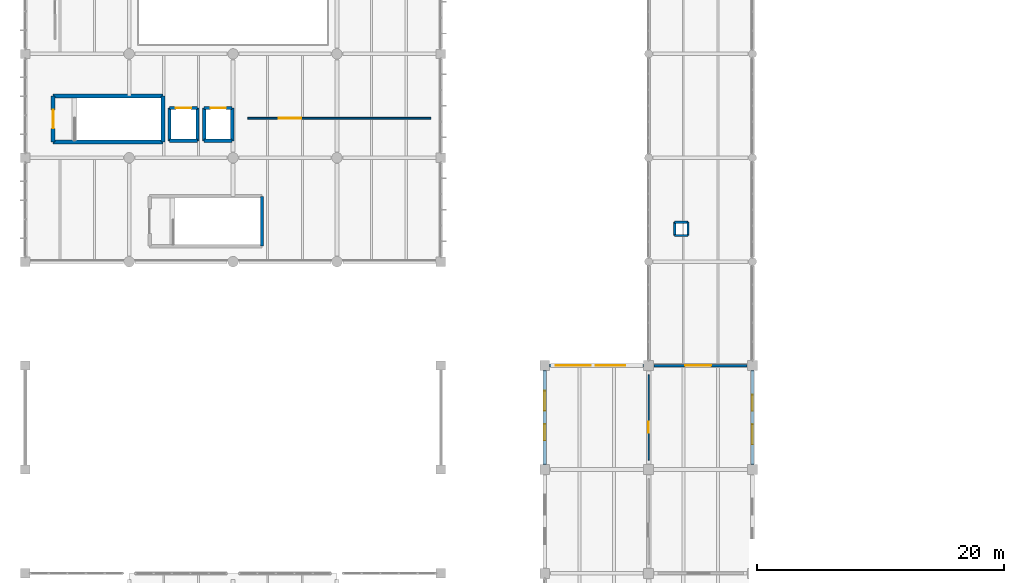
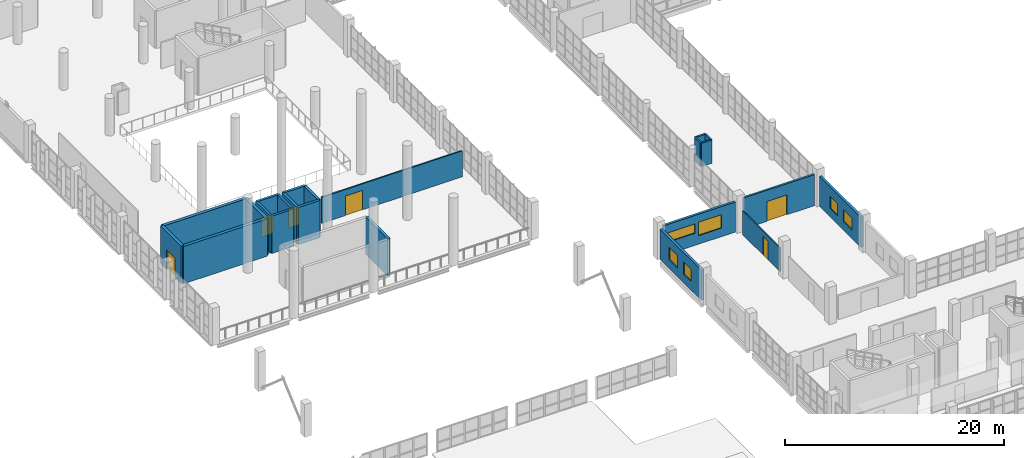
# One storey, part 149 of 177: 23 walls, 6 doors, 6 windows, 12 openings.
"""IFC4 building model written with IfcOpenShell, lengths in metres."""

from ifc_helpers import new_model, si_unit, direction, frame, frame_2d, origin, place, context, subcontext, project, spatial, rectangle, extrude, material, layer, layer_set, type_object, element, fill, save


model = new_model("IFC4")

# Units and contexts
model_context = context("Model", 3, precision=1e-05, world=origin(), true_north=direction((0.0, 1.0)))
body_context = subcontext(model_context, "Body", "Model", "MODEL_VIEW")
ifc_project = project(units=[si_unit("LENGTHUNIT", "METRE"), si_unit("AREAUNIT", "SQUARE_METRE"), si_unit("VOLUMEUNIT", "CUBIC_METRE"), si_unit("PLANEANGLEUNIT", "RADIAN"), si_unit("MASSUNIT", "GRAM", prefix="KILO"), si_unit("THERMODYNAMICTEMPERATUREUNIT", "KELVIN"), si_unit("POWERUNIT", "WATT")], contexts=[model_context])

# Site, building, storey
site_placement = place(None, origin())
site = spatial("IfcSite", under=ifc_project, at=site_placement, CompositionType="ELEMENT")
building_placement = place(site_placement, origin())
building = spatial("IfcBuilding", under=site, at=building_placement, Name="Mavoryth Pier Ferry Terminal", CompositionType="ELEMENT")
storey_placement = place(building_placement, frame((0.0, 0.0, 5.43994140625)))
storey = spatial("IfcBuildingStorey", under=building, at=storey_placement, Name="L01", CompositionType="ELEMENT", Elevation=5.43994140625)

# Walls
ifc_material_1 = material(Name="Concrete C35/45", Category="concrete")
ifc_layer_1 = layer(ifc_material_1, 0.260009765625, Name="Concrete C35/45", Category="concrete")
ifc_layer_set_1 = layer_set([ifc_layer_1], Name="Concrete C35/45 - CoreWall-LiftShaft-RC260")
wall_type_1 = type_object("IfcWallType", Name="CoreWall-LiftShaft-RC260", PredefinedType="SHEAR", material=ifc_layer_set_1)
wall_1_placement = place(storey_placement, frame((11.669921875, 56.969970703125, 0.0), z_axis=(0.0, 0.0, 1.0), x_axis=(1.0, 0.0, 0.0)))
element("IfcWall", 1, at=wall_1_placement, inside=storey, type_object=wall_type_1, Name="Interior Wall IW-L01-0013", PredefinedType="SHEAR", context=body_context, shape_type="SweptSolid", body=[
    extrude(rectangle(XDim=2.260009765625, YDim=0.260009765625, at=frame_2d((1.1298828125, 0.0))), origin(), (0.0, 0.0, 1.0), 4.16015625),
])
for number, where, z_axis, x_axis, name in (
    (2, (13.929931640625, 56.969970703125, 0.0), (0.0, 0.0, 1.0), (0.0, 1.0, 0.0), "Interior Wall IW-L01-0014"),
    (3, (11.669921875, 59.6298828125, 0.0), (0.0, 0.0, 1.0), (0.0, -1.0, 0.0), "Interior Wall IW-L01-0015"),
):
    element("IfcWall", number, at=place(storey_placement, frame(where, z_axis=z_axis, x_axis=x_axis)), inside=storey, type_object=wall_type_1, Name=name, PredefinedType="SHEAR", context=body_context, shape_type="SweptSolid", body=[
        extrude(rectangle(XDim=2.659912109375, YDim=0.260009765625, at=frame_2d((1.330078125, 0.0))), origin(), (0.0, 0.0, 1.0), 4.16015625),
    ])

# Wall, opening, door
wall_2_placement = place(storey_placement, frame((11.669921875, 59.6298828125, 0.0), z_axis=(0.0, 0.0, 1.0), x_axis=(1.0, 0.0, 0.0)))
wall_2 = element("IfcWall", 4, at=wall_2_placement, inside=storey, type_object=wall_type_1, Name="Interior Wall IW-L01-0016", PredefinedType="SHEAR", context=body_context, shape_type="SweptSolid", body=[
    extrude(rectangle(XDim=2.260009765625, YDim=0.260009765625, at=frame_2d((1.1298828125, 0.0))), origin(), (0.0, 0.0, 1.0), 4.16015625),
])
opening_1_placement = place(wall_2_placement, frame((0.510009765625, 0.0, 0.0)))
opening_1 = element("IfcOpeningElement", 5, at=opening_1_placement, cuts=wall_2, Name="Opening LD01", PredefinedType="OPENING", context=body_context, shape_type="SweptSolid", body=[
    extrude(rectangle(XDim=1.239990234375, YDim=2.139892578125, at=frame_2d((0.6201171875, 1.06982421875))), frame((0.0, 0.139892578125, 0.0), z_axis=(0.0, -1.0, 0.0), x_axis=(1.0, 0.0, 0.0)), (0.0, 0.0, 1.0), 0.280029296875),
])
ifc_material_2 = material(Name="Brushed Stainless Steel Lift Landing Door", Category="steel")
door_type_1 = type_object("IfcDoorType", Name="Door-LiftLanding-1240x2140", OperationType="NOTDEFINED", PredefinedType="DOOR", material=ifc_material_2)
door_1_placement = place(opening_1_placement, origin())
door_1 = element("IfcDoor", 6, at=door_1_placement, inside=storey, type_object=door_type_1, Name="Lift LF01 Landing Door L01", OperationType="DOUBLE_DOOR_SLIDING", OverallHeight=2.139892578125, OverallWidth=1.239990234375, PredefinedType="DOOR", context=body_context, shape_type="SweptSolid", body=[
    extrude(rectangle(XDim=1.239990234375, YDim=2.139892578125, at=frame_2d((0.6201171875, 1.06982421875))), frame((0.0, 0.02490234375, 0.0), z_axis=(0.0, -1.0, 0.0), x_axis=(1.0, 0.0, 0.0)), (0.0, 0.0, 1.0), 0.050048828125),
])
fill(opening_1, door_1)

# Walls
wall_3_placement = place(storey_placement, frame((14.469970703125, 56.969970703125, 0.0), z_axis=(0.0, 0.0, 1.0), x_axis=(1.0, 0.0, 0.0)))
element("IfcWall", 7, at=wall_3_placement, inside=storey, type_object=wall_type_1, Name="Interior Wall IW-L01-0021", PredefinedType="SHEAR", context=body_context, shape_type="SweptSolid", body=[
    extrude(rectangle(XDim=2.260009765625, YDim=0.260009765625, at=frame_2d((1.1298828125, 0.0))), origin(), (0.0, 0.0, 1.0), 4.16015625),
])
for number, where, z_axis, x_axis, name in (
    (8, (16.72998046875, 56.969970703125, 0.0), (0.0, 0.0, 1.0), (0.0, 1.0, 0.0), "Interior Wall IW-L01-0022"),
    (9, (14.469970703125, 59.6298828125, 0.0), (0.0, 0.0, 1.0), (0.0, -1.0, 0.0), "Interior Wall IW-L01-0023"),
):
    element("IfcWall", number, at=place(storey_placement, frame(where, z_axis=z_axis, x_axis=x_axis)), inside=storey, type_object=wall_type_1, Name=name, PredefinedType="SHEAR", context=body_context, shape_type="SweptSolid", body=[
        extrude(rectangle(XDim=2.659912109375, YDim=0.260009765625, at=frame_2d((1.330078125, 0.0))), origin(), (0.0, 0.0, 1.0), 4.16015625),
    ])

# Wall, opening, door
wall_4_placement = place(storey_placement, frame((14.469970703125, 59.6298828125, 0.0), z_axis=(0.0, 0.0, 1.0), x_axis=(1.0, 0.0, 0.0)))
wall_4 = element("IfcWall", 10, at=wall_4_placement, inside=storey, type_object=wall_type_1, Name="Interior Wall IW-L01-0024", PredefinedType="SHEAR", context=body_context, shape_type="SweptSolid", body=[
    extrude(rectangle(XDim=2.260009765625, YDim=0.260009765625, at=frame_2d((1.1298828125, 0.0))), origin(), (0.0, 0.0, 1.0), 4.16015625),
])
opening_2_placement = place(wall_4_placement, frame((0.510009765625, 0.0, 0.0)))
opening_2 = element("IfcOpeningElement", 11, at=opening_2_placement, cuts=wall_4, Name="Opening LD01", PredefinedType="OPENING", context=body_context, shape_type="SweptSolid", body=[
    extrude(rectangle(XDim=1.239990234375, YDim=2.139892578125, at=frame_2d((0.6201171875, 1.06982421875))), frame((0.0, 0.139892578125, 0.0), z_axis=(0.0, -1.0, 0.0), x_axis=(1.0, 0.0, 0.0)), (0.0, 0.0, 1.0), 0.280029296875),
])
door_2_placement = place(opening_2_placement, origin())
door_2 = element("IfcDoor", 12, at=door_2_placement, inside=storey, type_object=door_type_1, Name="Lift LF02 Landing Door L01", OperationType="DOUBLE_DOOR_SLIDING", OverallHeight=2.139892578125, OverallWidth=1.239990234375, PredefinedType="DOOR", context=body_context, shape_type="SweptSolid", body=[
    extrude(rectangle(XDim=1.239990234375, YDim=2.139892578125, at=frame_2d((0.6201171875, 1.06982421875))), frame((0.0, 0.02490234375, 0.0), z_axis=(0.0, -1.0, 0.0), x_axis=(1.0, 0.0, 0.0)), (0.0, 0.0, 1.0), 0.050048828125),
])
fill(opening_2, door_2)

# Walls
ifc_material_3 = material(Name="Concrete C40/50", Category="concrete")
ifc_layer_2 = layer(ifc_material_3, 0.280029296875, Name="Concrete C40/50", Category="concrete")
ifc_layer_set_2 = layer_set([ifc_layer_2], Name="Concrete C40/50 - CoreWall-Shear-RC280")
wall_type_2 = type_object("IfcWallType", Name="CoreWall-Shear-RC280", PredefinedType="SHEAR", material=ifc_layer_set_2)
wall_5_placement = place(storey_placement, frame((19.139892578125, 48.4599609375, 0.0), z_axis=(0.0, 0.0, 1.0), x_axis=(0.0, 1.0, 0.0)))
element("IfcWall", 13, at=wall_5_placement, inside=storey, type_object=wall_type_2, Name="Interior Wall IW-L01-0292", PredefinedType="SHEAR", context=body_context, shape_type="SweptSolid", body=[
    extrude(rectangle(XDim=4.030029296875, YDim=0.280029296875, at=frame_2d((2.01513671875, 0.0))), origin(), (0.0, 0.0, 1.0), 4.16015625),
])
ifc_layer_3 = layer(ifc_material_3, 0.320068359375, Name="Concrete C40/50", Category="concrete")
ifc_layer_set_3 = layer_set([ifc_layer_3], Name="Concrete C40/50 - CoreWall-Shear-RC320")
wall_type_3 = type_object("IfcWallType", Name="CoreWall-Shear-RC320", PredefinedType="SHEAR", material=ifc_layer_set_3)
for number, where, z_axis, x_axis, name in (
    (14, (2.260009765625, 56.860107421875, 0.0), (0.0, 0.0, 1.0), (1.0, 0.0, 0.0), "Interior Wall IW-L01-0005"),
    (15, (2.260009765625, 60.590087890625, 0.0), (0.0, 0.0, 1.0), (1.0, 0.0, 0.0), "Interior Wall IW-L01-0006"),
):
    element("IfcWall", number, at=place(storey_placement, frame(where, z_axis=z_axis, x_axis=x_axis)), inside=storey, type_object=wall_type_3, Name=name, PredefinedType="SHEAR", context=body_context, shape_type="SweptSolid", body=[
        extrude(rectangle(XDim=8.8798828125, YDim=0.320068359375, at=frame_2d((4.43994140625, 0.0))), origin(), (0.0, 0.0, 1.0), 4.16015625),
    ])

# Wall, opening, door
wall_6_placement = place(storey_placement, frame((2.260009765625, 60.590087890625, 0.0), z_axis=(0.0, 0.0, 1.0), x_axis=(0.0, -1.0, 0.0)))
wall_6 = element("IfcWall", 16, at=wall_6_placement, inside=storey, type_object=wall_type_3, Name="Interior Wall IW-L01-0007", PredefinedType="SHEAR", context=body_context, shape_type="SweptSolid", body=[
    extrude(rectangle(XDim=3.72998046875, YDim=0.320068359375, at=frame_2d((1.864990234375, 0.0))), origin(), (0.0, 0.0, 1.0), 4.16015625),
])
opening_3_placement = place(wall_6_placement, frame((1.125, 0.0, 0.0)))
opening_3 = element("IfcOpeningElement", 17, at=opening_3_placement, cuts=wall_6, Name="Opening ID01-002", PredefinedType="OPENING", context=body_context, shape_type="SweptSolid", body=[
    extrude(rectangle(XDim=1.47998046875, YDim=2.14990234375, at=frame_2d((0.739990234375, 1.074951171875))), frame((0.0, 0.169921875, 0.0), z_axis=(0.0, -1.0, 0.0), x_axis=(1.0, 0.0, 0.0)), (0.0, 0.0, 1.0), 0.340087890625),
])
ifc_material_4 = material(Name="Painted Galvanised Steel Fire Door", Category="steel")
door_type_2 = type_object("IfcDoorType", Name="Door-StairFire-1480x2150", OperationType="NOTDEFINED", PredefinedType="DOOR", material=ifc_material_4)
door_3_placement = place(opening_3_placement, origin())
door_3 = element("IfcDoor", 18, at=door_3_placement, inside=storey, type_object=door_type_2, Name="Core C1A Stair Exit Door L01", OperationType="SINGLE_SWING_RIGHT", OverallHeight=2.14990234375, OverallWidth=1.47998046875, PredefinedType="DOOR", context=body_context, shape_type="SweptSolid", body=[
    extrude(rectangle(XDim=1.47998046875, YDim=2.14990234375, at=frame_2d((0.739990234375, 1.074951171875))), frame((0.0, 0.02490234375, 0.0), z_axis=(0.0, -1.0, 0.0), x_axis=(1.0, 0.0, 0.0)), (0.0, 0.0, 1.0), 0.050048828125),
])
fill(opening_3, door_3)

# Wall
wall_7_placement = place(storey_placement, frame((11.139892578125, 56.860107421875, 0.0), z_axis=(0.0, 0.0, 1.0), x_axis=(0.0, 1.0, 0.0)))
element("IfcWall", 19, at=wall_7_placement, inside=storey, type_object=wall_type_3, Name="Interior Wall IW-L01-0008", PredefinedType="SHEAR", context=body_context, shape_type="SweptSolid", body=[
    extrude(rectangle(XDim=3.72998046875, YDim=0.320068359375, at=frame_2d((1.864990234375, 0.0))), origin(), (0.0, 0.0, 1.0), 4.16015625),
])

# Wall, openings, windows
ifc_material_5 = material(Name="Insulated Pentelic Limestone-Faced Masonry", Category="masonry")
ifc_layer_4 = layer(ifc_material_5, 0.25, Name="Insulated Pentelic Limestone-Faced Masonry", Category="masonry")
ifc_layer_set_4 = layer_set([ifc_layer_4], Name="Insulated Pentelic Limestone-Faced Masonry - ExtWall-Facade-Masonry250")
wall_type_4 = type_object("IfcWallType", Name="ExtWall-Facade-Masonry250", PredefinedType="SOLIDWALL", material=ifc_layer_set_4)
wall_8_placement = place(storey_placement, frame((42.0, 38.39990234375, 0.0), z_axis=(0.0, 0.0, 1.0), x_axis=(0.0, -1.0, 0.0)))
wall_8 = element("IfcWall", 20, at=wall_8_placement, inside=storey, type_object=wall_type_4, Name="Exterior Wall EW-L01-163", PredefinedType="SOLIDWALL", context=body_context, shape_type="SweptSolid", body=[
    extrude(rectangle(XDim=7.599853515625, YDim=0.25, at=frame_2d((3.7998046875, 0.0))), origin(), (0.0, 0.0, 1.0), 3.344970703125),
])
opening_4_placement = place(wall_8_placement, frame((1.639892578125, 0.0, 0.949951171875)))
opening_4 = element("IfcOpeningElement", 21, at=opening_4_placement, cuts=wall_8, Name="Opening WN05", PredefinedType="OPENING", context=body_context, shape_type="SweptSolid", body=[
    extrude(rectangle(XDim=1.60009765625, YDim=1.35009765625, at=frame_2d((0.800048828125, 0.675048828125))), frame((0.0, 0.135009765625, 0.0), z_axis=(0.0, -1.0, 0.0), x_axis=(1.0, 0.0, 0.0)), (0.0, 0.0, 1.0), 0.27001953125),
])
opening_5_placement = place(wall_8_placement, frame((4.340087890625, 0.0, 0.949951171875)))
opening_5 = element("IfcOpeningElement", 22, at=opening_5_placement, cuts=wall_8, Name="Opening WN06", PredefinedType="OPENING", context=body_context, shape_type="SweptSolid", body=[
    extrude(rectangle(XDim=1.300048828125, YDim=1.35009765625, at=frame_2d((0.64990234375, 0.675048828125))), frame((0.0, 0.135009765625, 0.0), z_axis=(0.0, -1.0, 0.0), x_axis=(1.0, 0.0, 0.0)), (0.0, 0.0, 1.0), 0.27001953125),
])
ifc_material_6 = material(Name="Thermally Broken Aluminium and Low-E Double Glazing", Category="aluminium")
window_type_1 = type_object("IfcWindowType", Name="Win-Clinic-1300x1350", PartitioningType="SINGLE_PANEL", PredefinedType="WINDOW", material=ifc_material_6)
window_1_placement = place(opening_5_placement, origin())
window_1 = element("IfcWindow", 23, at=window_1_placement, inside=storey, type_object=window_type_1, Name="Exterior Window 88", OverallHeight=1.35009765625, OverallWidth=1.300048828125, PartitioningType="SINGLE_PANEL", PredefinedType="WINDOW", context=body_context, shape_type="SweptSolid", body=[
    extrude(rectangle(XDim=1.300048828125, YDim=1.35009765625, at=frame_2d((0.64990234375, 0.675048828125))), frame((0.0, 0.030029296875, 0.0), z_axis=(0.0, -1.0, 0.0), x_axis=(1.0, 0.0, 0.0)), (0.0, 0.0, 1.0), 0.06005859375),
])
fill(opening_5, window_1)
window_type_2 = type_object("IfcWindowType", Name="Win-Clinic-1600x1350", PartitioningType="DOUBLE_PANEL_VERTICAL", PredefinedType="WINDOW", material=ifc_material_6)
window_2_placement = place(opening_4_placement, origin())
window_2 = element("IfcWindow", 24, at=window_2_placement, inside=storey, type_object=window_type_2, Name="Exterior Window 87", OverallHeight=1.35009765625, OverallWidth=1.60009765625, PartitioningType="DOUBLE_PANEL_VERTICAL", PredefinedType="WINDOW", context=body_context, shape_type="SweptSolid", body=[
    extrude(rectangle(XDim=1.60009765625, YDim=1.35009765625, at=frame_2d((0.800048828125, 0.675048828125))), frame((0.0, 0.030029296875, 0.0), z_axis=(0.0, -1.0, 0.0), x_axis=(1.0, 0.0, 0.0)), (0.0, 0.0, 1.0), 0.06005859375),
])
fill(opening_4, window_2)

wall_9_placement = place(storey_placement, frame((58.800048828125, 30.800048828125, 0.0), z_axis=(0.0, 0.0, 1.0), x_axis=(0.0, 1.0, 0.0)))
wall_9 = element("IfcWall", 25, at=wall_9_placement, inside=storey, type_object=wall_type_4, Name="Exterior Wall EW-L01-164", PredefinedType="SOLIDWALL", context=body_context, shape_type="SweptSolid", body=[
    extrude(rectangle(XDim=7.599853515625, YDim=0.25, at=frame_2d((3.7998046875, 0.0))), origin(), (0.0, 0.0, 1.0), 3.344970703125),
])
opening_6_placement = place(wall_9_placement, frame((1.639892578125, 0.0, 0.949951171875)))
opening_6 = element("IfcOpeningElement", 26, at=opening_6_placement, cuts=wall_9, Name="Opening WN05", PredefinedType="OPENING", context=body_context, shape_type="SweptSolid", body=[
    extrude(rectangle(XDim=1.60009765625, YDim=1.35009765625, at=frame_2d((0.800048828125, 0.675048828125))), frame((0.0, 0.135009765625, 0.0), z_axis=(0.0, -1.0, 0.0), x_axis=(1.0, 0.0, 0.0)), (0.0, 0.0, 1.0), 0.27001953125),
])
opening_7_placement = place(wall_9_placement, frame((4.340087890625, 0.0, 0.949951171875)))
opening_7 = element("IfcOpeningElement", 27, at=opening_7_placement, cuts=wall_9, Name="Opening WN06", PredefinedType="OPENING", context=body_context, shape_type="SweptSolid", body=[
    extrude(rectangle(XDim=1.300048828125, YDim=1.35009765625, at=frame_2d((0.64990234375, 0.675048828125))), frame((0.0, 0.135009765625, 0.0), z_axis=(0.0, -1.0, 0.0), x_axis=(1.0, 0.0, 0.0)), (0.0, 0.0, 1.0), 0.27001953125),
])
window_3_placement = place(opening_7_placement, origin())
window_3 = element("IfcWindow", 28, at=window_3_placement, inside=storey, type_object=window_type_1, Name="Exterior Window 90", OverallHeight=1.35009765625, OverallWidth=1.300048828125, PartitioningType="SINGLE_PANEL", PredefinedType="WINDOW", context=body_context, shape_type="SweptSolid", body=[
    extrude(rectangle(XDim=1.300048828125, YDim=1.35009765625, at=frame_2d((0.64990234375, 0.675048828125))), frame((0.0, 0.030029296875, 0.0), z_axis=(0.0, -1.0, 0.0), x_axis=(1.0, 0.0, 0.0)), (0.0, 0.0, 1.0), 0.06005859375),
])
fill(opening_7, window_3)
window_4_placement = place(opening_6_placement, origin())
window_4 = element("IfcWindow", 29, at=window_4_placement, inside=storey, type_object=window_type_2, Name="Exterior Window 89", OverallHeight=1.35009765625, OverallWidth=1.60009765625, PartitioningType="DOUBLE_PANEL_VERTICAL", PredefinedType="WINDOW", context=body_context, shape_type="SweptSolid", body=[
    extrude(rectangle(XDim=1.60009765625, YDim=1.35009765625, at=frame_2d((0.800048828125, 0.675048828125))), frame((0.0, 0.030029296875, 0.0), z_axis=(0.0, -1.0, 0.0), x_axis=(1.0, 0.0, 0.0)), (0.0, 0.0, 1.0), 0.06005859375),
])
fill(opening_6, window_4)

wall_10_placement = place(storey_placement, frame((50.0, 38.800048828125, 0.0), z_axis=(0.0, 0.0, 1.0), x_axis=(-1.0, 0.0, 0.0)))
wall_10 = element("IfcWall", 30, at=wall_10_placement, inside=storey, type_object=wall_type_4, Name="Exterior Wall EW-L01-165", PredefinedType="SOLIDWALL", context=body_context, shape_type="SweptSolid", body=[
    extrude(rectangle(XDim=7.60009765625, YDim=0.25, at=frame_2d((3.800048828125, 0.0))), origin(), (0.0, 0.0, 1.0), 3.344970703125),
])
opening_8_placement = place(wall_10_placement, frame((1.489990234375, 0.0, 0.949951171875)))
opening_8 = element("IfcOpeningElement", 31, at=opening_8_placement, cuts=wall_10, Name="Opening WN02", PredefinedType="OPENING", context=body_context, shape_type="SweptSolid", body=[
    extrude(rectangle(XDim=2.39990234375, YDim=1.5, at=frame_2d((1.199951171875, 0.75))), frame((0.0, 0.135009765625, 0.0), z_axis=(0.0, -1.0, 0.0), x_axis=(1.0, 0.0, 0.0)), (0.0, 0.0, 1.0), 0.27001953125),
])
opening_9_placement = place(wall_10_placement, frame((4.2900390625, 0.0, 1.35009765625)))
opening_9 = element("IfcOpeningElement", 32, at=opening_9_placement, cuts=wall_10, Name="Opening WN15", PredefinedType="OPENING", context=body_context, shape_type="SweptSolid", body=[
    extrude(rectangle(XDim=2.800048828125, YDim=1.050048828125, at=frame_2d((1.39990234375, 0.52490234375))), frame((0.0, 0.135009765625, 0.0), z_axis=(0.0, -1.0, 0.0), x_axis=(1.0, 0.0, 0.0)), (0.0, 0.0, 1.0), 0.27001953125),
])
window_type_3 = type_object("IfcWindowType", Name="Win-Clerestory-2800x1050", PartitioningType="TRIPLE_PANEL_VERTICAL", PredefinedType="WINDOW", material=ifc_material_6)
window_5_placement = place(opening_9_placement, origin())
window_5 = element("IfcWindow", 33, at=window_5_placement, inside=storey, type_object=window_type_3, Name="Exterior Window 92", OverallHeight=1.050048828125, OverallWidth=2.800048828125, PartitioningType="TRIPLE_PANEL_VERTICAL", PredefinedType="WINDOW", context=body_context, shape_type="SweptSolid", body=[
    extrude(rectangle(XDim=2.800048828125, YDim=1.050048828125, at=frame_2d((1.39990234375, 0.52490234375))), frame((0.0, 0.030029296875, 0.0), z_axis=(0.0, -1.0, 0.0), x_axis=(1.0, 0.0, 0.0)), (0.0, 0.0, 1.0), 0.06005859375),
])
fill(opening_9, window_5)
window_type_4 = type_object("IfcWindowType", Name="Win-Ops-2400x1500", PartitioningType="TRIPLE_PANEL_VERTICAL", PredefinedType="WINDOW", material=ifc_material_6)
window_6_placement = place(opening_8_placement, origin())
window_6 = element("IfcWindow", 34, at=window_6_placement, inside=storey, type_object=window_type_4, Name="Exterior Window 91", OverallHeight=1.5, OverallWidth=2.39990234375, PartitioningType="TRIPLE_PANEL_VERTICAL", PredefinedType="WINDOW", context=body_context, shape_type="SweptSolid", body=[
    extrude(rectangle(XDim=2.39990234375, YDim=1.5, at=frame_2d((1.199951171875, 0.75))), frame((0.0, 0.030029296875, 0.0), z_axis=(0.0, -1.0, 0.0), x_axis=(1.0, 0.0, 0.0)), (0.0, 0.0, 1.0), 0.06005859375),
])
fill(opening_8, window_6)

# Wall, opening, door
ifc_material_7 = material(Name="Autoclaved Aerated Concrete Blockwork", Category="masonry")
ifc_layer_5 = layer(ifc_material_7, 0.199951171875, Name="Autoclaved Aerated Concrete Blockwork", Category="masonry")
ifc_layer_set_5 = layer_set([ifc_layer_5], Name="Autoclaved Aerated Concrete Blockwork - IntWall-LobbyRated-200")
wall_type_5 = type_object("IfcWallType", Name="IntWall-LobbyRated-200", PredefinedType="SOLIDWALL", material=ifc_layer_set_5)
wall_11_placement = place(storey_placement, frame((50.85009765625, 38.800048828125, 0.0), z_axis=(0.0, 0.0, 1.0), x_axis=(1.0, 0.0, 0.0)))
wall_11 = element("IfcWall", 35, at=wall_11_placement, inside=storey, type_object=wall_type_5, Name="Interior Wall IW-L01-0510", PredefinedType="SOLIDWALL", context=body_context, shape_type="SweptSolid", body=[
    extrude(rectangle(XDim=7.5, YDim=0.199951171875, at=frame_2d((3.75, 0.0))), origin(), (0.0, 0.0, 1.0), 3.465087890625),
])
opening_10_placement = place(wall_11_placement, frame((2.5, 0.0, 0.0)))
opening_10 = element("IfcOpeningElement", 36, at=opening_10_placement, cuts=wall_11, Name="Opening ID06-179", PredefinedType="OPENING", context=body_context, shape_type="SweptSolid", body=[
    extrude(rectangle(XDim=2.10009765625, YDim=2.219970703125, at=frame_2d((1.050048828125, 1.10986328125))), frame((0.0, 0.10986328125, 0.0), z_axis=(0.0, -1.0, 0.0), x_axis=(1.0, 0.0, 0.0)), (0.0, 0.0, 1.0), 0.219970703125),
])
ifc_material_8 = material(Name="Fire-Resisting Anodised Aluminium Glazed Door", Category="aluminium")
door_type_3 = type_object("IfcDoorType", Name="Door-ConcourseSlide-2100x2220", OperationType="NOTDEFINED", PredefinedType="DOOR", material=ifc_material_8)
door_4_placement = place(opening_10_placement, origin())
door_4 = element("IfcDoor", 37, at=door_4_placement, inside=storey, type_object=door_type_3, Name="Courtyard Link South Operations Door", OperationType="DOUBLE_DOOR_SLIDING", OverallHeight=2.219970703125, OverallWidth=2.10009765625, PredefinedType="DOOR", context=body_context, shape_type="SweptSolid", body=[
    extrude(rectangle(XDim=2.10009765625, YDim=2.219970703125, at=frame_2d((1.050048828125, 1.10986328125))), frame((0.0, 0.02490234375, 0.0), z_axis=(0.0, -1.0, 0.0), x_axis=(1.0, 0.0, 0.0)), (0.0, 0.0, 1.0), 0.050048828125),
])
fill(opening_10, door_4)

# Walls
ifc_layer_6 = layer(ifc_material_7, 0.179931640625, Name="Autoclaved Aerated Concrete Blockwork", Category="masonry")
ifc_layer_set_6 = layer_set([ifc_layer_6], Name="Autoclaved Aerated Concrete Blockwork - IntWall-PlantRated-180")
wall_type_6 = type_object("IfcWallType", Name="IntWall-PlantRated-180", PredefinedType="SOLIDWALL", material=ifc_layer_set_6)
wall_12_placement = place(storey_placement, frame((52.510009765625, 49.31005859375, 0.0), z_axis=(0.0, 0.0, 1.0), x_axis=(1.0, 0.0, 0.0)))
element("IfcWall", 38, at=wall_12_placement, inside=storey, type_object=wall_type_6, Name="Interior Wall IW-L01-0349", PredefinedType="SOLIDWALL", context=body_context, shape_type="SweptSolid", body=[
    extrude(rectangle(XDim=1.080078125, YDim=0.179931640625, at=frame_2d((0.5400390625, 0.0))), origin(), (0.0, 0.0, 1.0), 2.60009765625),
])
wall_13_placement = place(storey_placement, frame((53.590087890625, 49.31005859375, 0.0), z_axis=(0.0, 0.0, 1.0), x_axis=(0.0, 1.0, 0.0)))
element("IfcWall", 39, at=wall_13_placement, inside=storey, type_object=wall_type_6, Name="Interior Wall IW-L01-0350", PredefinedType="SOLIDWALL", context=body_context, shape_type="SweptSolid", body=[
    extrude(rectangle(XDim=1.079833984375, YDim=0.179931640625, at=frame_2d((0.5400390625, 0.0))), origin(), (0.0, 0.0, 1.0), 2.60009765625),
])
wall_14_placement = place(storey_placement, frame((53.590087890625, 50.389892578125, 0.0), z_axis=(0.0, 0.0, 1.0), x_axis=(-1.0, 0.0, 0.0)))
element("IfcWall", 40, at=wall_14_placement, inside=storey, type_object=wall_type_6, Name="Interior Wall IW-L01-0351", PredefinedType="SOLIDWALL", context=body_context, shape_type="SweptSolid", body=[
    extrude(rectangle(XDim=1.080078125, YDim=0.179931640625, at=frame_2d((0.5400390625, 0.0))), origin(), (0.0, 0.0, 1.0), 2.60009765625),
])
wall_15_placement = place(storey_placement, frame((52.510009765625, 50.389892578125, 0.0), z_axis=(0.0, 0.0, 1.0), x_axis=(0.0, -1.0, 0.0)))
element("IfcWall", 41, at=wall_15_placement, inside=storey, type_object=wall_type_6, Name="Interior Wall IW-L01-0352", PredefinedType="SOLIDWALL", context=body_context, shape_type="SweptSolid", body=[
    extrude(rectangle(XDim=1.079833984375, YDim=0.179931640625, at=frame_2d((0.5400390625, 0.0))), origin(), (0.0, 0.0, 1.0), 2.60009765625),
])

# Wall, opening, door
ifc_material_9 = material(Name="Fire-Rated Gypsum Stud Partition")
ifc_layer_7 = layer(ifc_material_9, 0.139892578125, Name="Fire-Rated Gypsum Stud Partition")
ifc_layer_set_7 = layer_set([ifc_layer_7], Name="Fire-Rated Gypsum Stud Partition - Part-Corridor-140")
wall_type_7 = type_object("IfcWallType", Name="Part-Corridor-140", PredefinedType="PARTITIONING", material=ifc_layer_set_7)
wall_16_placement = place(storey_placement, frame((18.0, 58.800048828125, 0.0), z_axis=(0.0, 0.0, 1.0), x_axis=(1.0, 0.0, 0.0)))
wall_16 = element("IfcWall", 42, at=wall_16_placement, inside=storey, type_object=wall_type_7, Name="Interior Wall IW-L01-0419", PredefinedType="PARTITIONING", context=body_context, shape_type="SweptSolid", body=[
    extrude(rectangle(XDim=14.800048828125, YDim=0.139892578125, at=frame_2d((7.39990234375, 0.0))), origin(), (0.0, 0.0, 1.0), 2.900146484375),
])
opening_11_placement = place(wall_16_placement, frame((2.5, 0.0, 0.0)))
opening_11 = element("IfcOpeningElement", 43, at=opening_11_placement, cuts=wall_16, Name="Opening ID04-085", PredefinedType="OPENING", context=body_context, shape_type="SweptSolid", body=[
    extrude(rectangle(XDim=1.800048828125, YDim=2.179931640625, at=frame_2d((0.89990234375, 1.08984375))), frame((0.0, 0.079833984375, 0.0), z_axis=(0.0, -1.0, 0.0), x_axis=(1.0, 0.0, 0.0)), (0.0, 0.0, 1.0), 0.159912109375),
])
ifc_material_10 = material(Name="Glazed Fire-Resisting Steel Door", Category="steel")
door_type_4 = type_object("IfcDoorType", Name="Door-LobbyDouble-1800x2180", OperationType="NOTDEFINED", PredefinedType="DOOR", material=ifc_material_10)
door_5_placement = place(opening_11_placement, origin())
door_5 = element("IfcDoor", 44, at=door_5_placement, inside=storey, type_object=door_type_4, Name="Interior Door ID04-085", OperationType="DOUBLE_DOOR_SINGLE_SWING", OverallHeight=2.179931640625, OverallWidth=1.800048828125, PredefinedType="DOOR", context=body_context, shape_type="SweptSolid", body=[
    extrude(rectangle(XDim=1.800048828125, YDim=2.179931640625, at=frame_2d((0.89990234375, 1.08984375))), frame((0.0, 0.02490234375, 0.0), z_axis=(0.0, -1.0, 0.0), x_axis=(1.0, 0.0, 0.0)), (0.0, 0.0, 1.0), 0.050048828125),
])
fill(opening_11, door_5)

ifc_material_11 = material(Name="Moisture-Resistant Cement-Board Partition")
ifc_layer_8 = layer(ifc_material_11, 0.10009765625, Name="Moisture-Resistant Cement-Board Partition")
ifc_layer_set_8 = layer_set([ifc_layer_8], Name="Moisture-Resistant Cement-Board Partition - Part-WetArea-100")
wall_type_8 = type_object("IfcWallType", Name="Part-WetArea-100", PredefinedType="PARTITIONING", material=ifc_layer_set_8)
wall_17_placement = place(storey_placement, frame((50.39990234375, 31.14990234375, 0.0), z_axis=(0.0, 0.0, 1.0), x_axis=(0.0, 1.0, 0.0)))
wall_17 = element("IfcWall", 45, at=wall_17_placement, inside=storey, type_object=wall_type_8, Name="Interior Wall IW-L01-0513", PredefinedType="PARTITIONING", context=body_context, shape_type="SweptSolid", body=[
    extrude(rectangle(XDim=6.900146484375, YDim=0.10009765625, at=frame_2d((3.4501953125, 0.0))), origin(), (0.0, 0.0, 1.0), 2.650146484375),
])
opening_12_placement = place(wall_17_placement, frame((2.199951171875, 0.0, 0.0)))
opening_12 = element("IfcOpeningElement", 46, at=opening_12_placement, cuts=wall_17, Name="Opening ID12-182", PredefinedType="OPENING", context=body_context, shape_type="SweptSolid", body=[
    extrude(rectangle(XDim=0.89990234375, YDim=2.06005859375, at=frame_2d((0.449951171875, 1.030029296875))), frame((0.0, 0.06005859375, 0.0), z_axis=(0.0, -1.0, 0.0), x_axis=(1.0, 0.0, 0.0)), (0.0, 0.0, 1.0), 0.1201171875),
])
ifc_material_12 = material(Name="High-Pressure Laminate Moisture Door")
door_type_5 = type_object("IfcDoorType", Name="Door-Toilet-900x2060", OperationType="NOTDEFINED", PredefinedType="DOOR", material=ifc_material_12)
door_6_placement = place(opening_12_placement, origin())
door_6 = element("IfcDoor", 47, at=door_6_placement, inside=storey, type_object=door_type_5, Name="L01 Crew Showers Door", OperationType="SINGLE_SWING_LEFT", OverallHeight=2.06005859375, OverallWidth=0.89990234375, PredefinedType="DOOR", context=body_context, shape_type="SweptSolid", body=[
    extrude(rectangle(XDim=0.89990234375, YDim=2.06005859375, at=frame_2d((0.449951171875, 1.030029296875))), frame((0.0, 0.02490234375, 0.0), z_axis=(0.0, -1.0, 0.0), x_axis=(1.0, 0.0, 0.0)), (0.0, 0.0, 1.0), 0.050048828125),
])
fill(opening_12, door_6)

save(model, "model.ifc")
